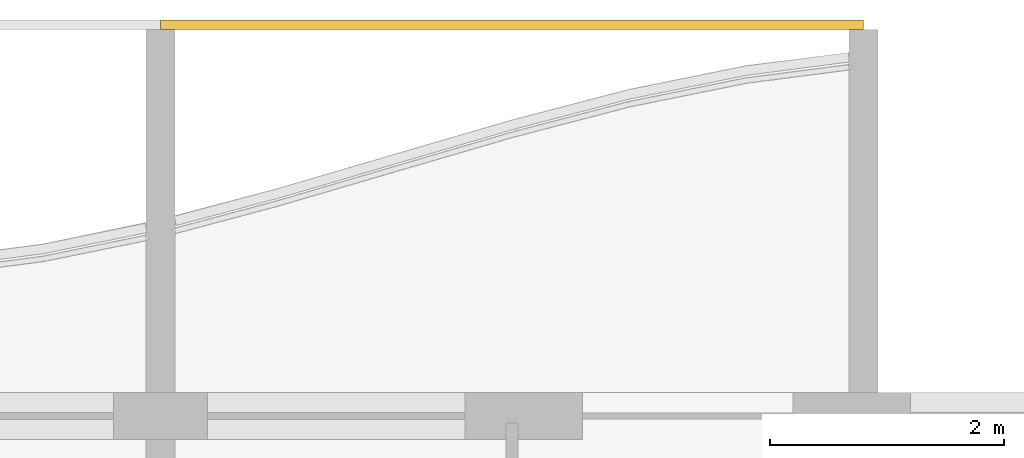
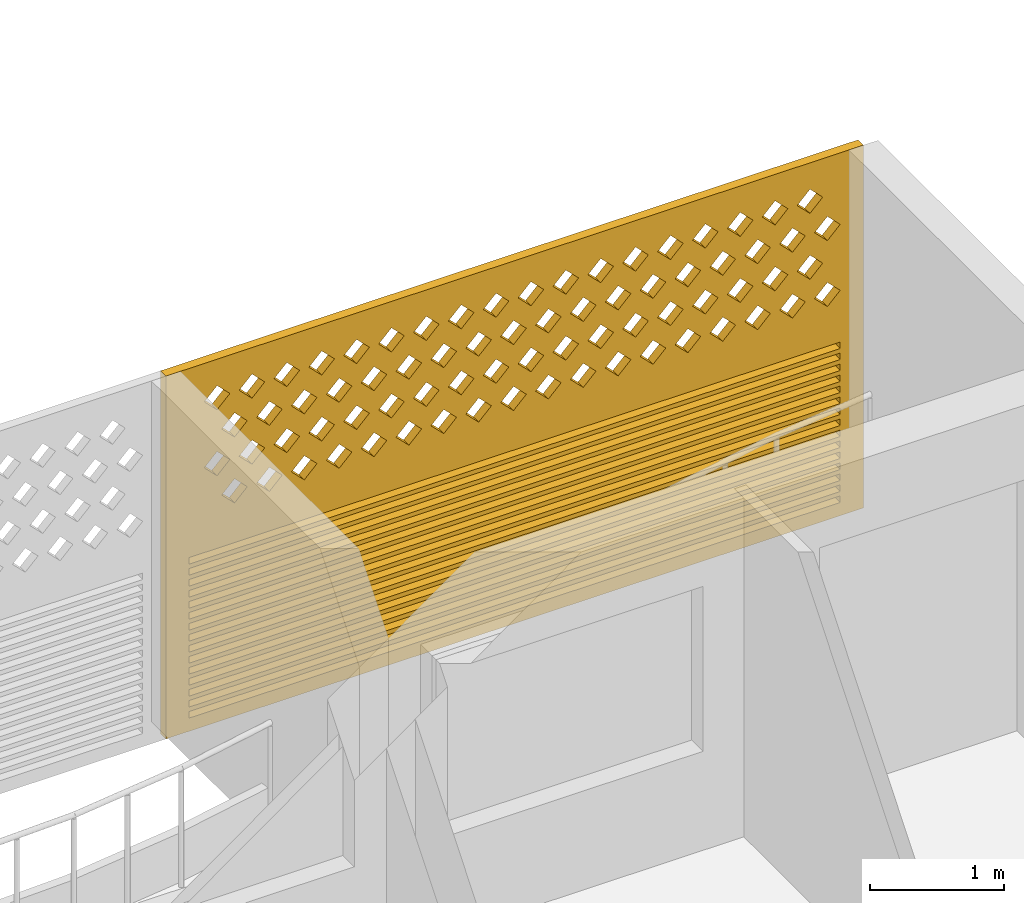
# One storey, part 18 of 28: 1 covering.
"""IFC4 building model written with IfcOpenShell, lengths in metres."""

from ifc_helpers import new_model, si_unit, direction, frame, origin, place, context, subcontext, project, spatial, polyline, outline, extrude, source, transform, mapped, material, material_profile, profile_set, type_object, element, save


model = new_model("IFC4")

# Units and contexts
model_context = context("Model", 3, precision=1e-05, world=origin(), true_north=direction((0.0, 1.0)))
body_context = subcontext(model_context, "Body", "Model", "MODEL_VIEW")
ifc_project = project(units=[si_unit("LENGTHUNIT", "METRE"), si_unit("AREAUNIT", "SQUARE_METRE"), si_unit("VOLUMEUNIT", "CUBIC_METRE"), si_unit("PLANEANGLEUNIT", "RADIAN"), si_unit("MASSUNIT", "GRAM", prefix="KILO")], contexts=[model_context])

# Site, building, storey
site_placement = place(None, origin())
site = spatial("IfcSite", under=ifc_project, at=site_placement, CompositionType="ELEMENT")
building_placement = place(site_placement, origin())
building = spatial("IfcBuilding", under=site, at=building_placement, Name="Poui Terraces", CompositionType="ELEMENT")
storey_placement = place(building_placement, frame((0.0, 0.0, 188.39990234375)))
storey = spatial("IfcBuildingStorey", under=building, at=storey_placement, Name="L52", CompositionType="ELEMENT", Elevation=188.39990234375)

# Covering
ifc_material = material(Name="Terracotta screen", Category="masonry")
ifc_material_profile = material_profile(ifc_material, outline(polyline([(-3.0, -1.64990234375), (3.0, -1.64990234375), (3.0, 1.64990234375), (-3.0, 1.64990234375), (-3.0, -1.64990234375)]), holes=[polyline([(-2.800048828125, 0.39990234375), (-2.68994140625, 0.2900390625), (-2.580078125, 0.39990234375), (-2.68994140625, 0.510009765625), (-2.800048828125, 0.39990234375)]), polyline([(-2.5, 0.39990234375), (-2.389892578125, 0.2900390625), (-2.280029296875, 0.39990234375), (-2.389892578125, 0.510009765625), (-2.5, 0.39990234375)]), polyline([(-2.199951171875, 0.39990234375), (-2.090087890625, 0.2900390625), (-1.97998046875, 0.39990234375), (-2.090087890625, 0.510009765625), (-2.199951171875, 0.39990234375)]), polyline([(-1.89990234375, 0.39990234375), (-1.7900390625, 0.2900390625), (-1.679931640625, 0.39990234375), (-1.7900390625, 0.510009765625), (-1.89990234375, 0.39990234375)]), polyline([(-1.60009765625, 0.39990234375), (-1.489990234375, 0.2900390625), (-1.3798828125, 0.39990234375), (-1.489990234375, 0.510009765625), (-1.60009765625, 0.39990234375)]), polyline([(-1.300048828125, 0.39990234375), (-1.18994140625, 0.2900390625), (-1.080078125, 0.39990234375), (-1.18994140625, 0.510009765625), (-1.300048828125, 0.39990234375)]), polyline([(-1.0, 0.39990234375), (-0.889892578125, 0.2900390625), (-0.780029296875, 0.39990234375), (-0.889892578125, 0.510009765625), (-1.0, 0.39990234375)]), polyline([(-0.699951171875, 0.39990234375), (-0.590087890625, 0.2900390625), (-0.47998046875, 0.39990234375), (-0.590087890625, 0.510009765625), (-0.699951171875, 0.39990234375)]), polyline([(-0.39990234375, 0.39990234375), (-0.2900390625, 0.2900390625), (-0.179931640625, 0.39990234375), (-0.2900390625, 0.510009765625), (-0.39990234375, 0.39990234375)]), polyline([(-0.10009765625, 0.39990234375), (0.010009765625, 0.2900390625), (0.1201171875, 0.39990234375), (0.010009765625, 0.510009765625), (-0.10009765625, 0.39990234375)]), polyline([(0.199951171875, 0.39990234375), (0.31005859375, 0.2900390625), (0.419921875, 0.39990234375), (0.31005859375, 0.510009765625), (0.199951171875, 0.39990234375)]), polyline([(0.5, 0.39990234375), (0.610107421875, 0.2900390625), (0.719970703125, 0.39990234375), (0.610107421875, 0.510009765625), (0.5, 0.39990234375)]), polyline([(0.800048828125, 0.39990234375), (0.909912109375, 0.2900390625), (1.02001953125, 0.39990234375), (0.909912109375, 0.510009765625), (0.800048828125, 0.39990234375)]), polyline([(1.10009765625, 0.39990234375), (1.2099609375, 0.2900390625), (1.320068359375, 0.39990234375), (1.2099609375, 0.510009765625), (1.10009765625, 0.39990234375)]), polyline([(1.39990234375, 0.39990234375), (1.510009765625, 0.2900390625), (1.6201171875, 0.39990234375), (1.510009765625, 0.510009765625), (1.39990234375, 0.39990234375)]), polyline([(1.699951171875, 0.39990234375), (1.81005859375, 0.2900390625), (1.919921875, 0.39990234375), (1.81005859375, 0.510009765625), (1.699951171875, 0.39990234375)]), polyline([(2.0, 0.39990234375), (2.110107421875, 0.2900390625), (2.219970703125, 0.39990234375), (2.110107421875, 0.510009765625), (2.0, 0.39990234375)]), polyline([(2.300048828125, 0.39990234375), (2.409912109375, 0.2900390625), (2.52001953125, 0.39990234375), (2.409912109375, 0.510009765625), (2.300048828125, 0.39990234375)]), polyline([(-2.64990234375, 0.699951171875), (-2.5400390625, 0.590087890625), (-2.429931640625, 0.699951171875), (-2.5400390625, 0.81005859375), (-2.64990234375, 0.699951171875)]), polyline([(-2.35009765625, 0.699951171875), (-2.239990234375, 0.590087890625), (-2.1298828125, 0.699951171875), (-2.239990234375, 0.81005859375), (-2.35009765625, 0.699951171875)]), polyline([(-2.050048828125, 0.699951171875), (-1.93994140625, 0.590087890625), (-1.830078125, 0.699951171875), (-1.93994140625, 0.81005859375), (-2.050048828125, 0.699951171875)]), polyline([(-1.75, 0.699951171875), (-1.639892578125, 0.590087890625), (-1.530029296875, 0.699951171875), (-1.639892578125, 0.81005859375), (-1.75, 0.699951171875)]), polyline([(-1.449951171875, 0.699951171875), (-1.340087890625, 0.590087890625), (-1.22998046875, 0.699951171875), (-1.340087890625, 0.81005859375), (-1.449951171875, 0.699951171875)]), polyline([(-1.14990234375, 0.699951171875), (-1.0400390625, 0.590087890625), (-0.929931640625, 0.699951171875), (-1.0400390625, 0.81005859375), (-1.14990234375, 0.699951171875)]), polyline([(-0.85009765625, 0.699951171875), (-0.739990234375, 0.590087890625), (-0.6298828125, 0.699951171875), (-0.739990234375, 0.81005859375), (-0.85009765625, 0.699951171875)]), polyline([(-0.550048828125, 0.699951171875), (-0.43994140625, 0.590087890625), (-0.330078125, 0.699951171875), (-0.43994140625, 0.81005859375), (-0.550048828125, 0.699951171875)]), polyline([(-0.25, 0.699951171875), (-0.139892578125, 0.590087890625), (-0.030029296875, 0.699951171875), (-0.139892578125, 0.81005859375), (-0.25, 0.699951171875)]), polyline([(0.050048828125, 0.699951171875), (0.159912109375, 0.590087890625), (0.27001953125, 0.699951171875), (0.159912109375, 0.81005859375), (0.050048828125, 0.699951171875)]), polyline([(0.35009765625, 0.699951171875), (0.4599609375, 0.590087890625), (0.570068359375, 0.699951171875), (0.4599609375, 0.81005859375), (0.35009765625, 0.699951171875)]), polyline([(0.64990234375, 0.699951171875), (0.760009765625, 0.590087890625), (0.8701171875, 0.699951171875), (0.760009765625, 0.81005859375), (0.64990234375, 0.699951171875)]), polyline([(0.949951171875, 0.699951171875), (1.06005859375, 0.590087890625), (1.169921875, 0.699951171875), (1.06005859375, 0.81005859375), (0.949951171875, 0.699951171875)]), polyline([(1.25, 0.699951171875), (1.360107421875, 0.590087890625), (1.469970703125, 0.699951171875), (1.360107421875, 0.81005859375), (1.25, 0.699951171875)]), polyline([(1.550048828125, 0.699951171875), (1.659912109375, 0.590087890625), (1.77001953125, 0.699951171875), (1.659912109375, 0.81005859375), (1.550048828125, 0.699951171875)]), polyline([(1.85009765625, 0.699951171875), (1.9599609375, 0.590087890625), (2.070068359375, 0.699951171875), (1.9599609375, 0.81005859375), (1.85009765625, 0.699951171875)]), polyline([(2.14990234375, 0.699951171875), (2.260009765625, 0.590087890625), (2.3701171875, 0.699951171875), (2.260009765625, 0.81005859375), (2.14990234375, 0.699951171875)]), polyline([(2.449951171875, 0.699951171875), (2.56005859375, 0.590087890625), (2.669921875, 0.699951171875), (2.56005859375, 0.81005859375), (2.449951171875, 0.699951171875)]), polyline([(-2.800048828125, 1.0), (-2.68994140625, 0.889892578125), (-2.580078125, 1.0), (-2.68994140625, 1.110107421875), (-2.800048828125, 1.0)]), polyline([(-2.5, 1.0), (-2.389892578125, 0.889892578125), (-2.280029296875, 1.0), (-2.389892578125, 1.110107421875), (-2.5, 1.0)]), polyline([(-2.199951171875, 1.0), (-2.090087890625, 0.889892578125), (-1.97998046875, 1.0), (-2.090087890625, 1.110107421875), (-2.199951171875, 1.0)]), polyline([(-1.89990234375, 1.0), (-1.7900390625, 0.889892578125), (-1.679931640625, 1.0), (-1.7900390625, 1.110107421875), (-1.89990234375, 1.0)]), polyline([(-1.60009765625, 1.0), (-1.489990234375, 0.889892578125), (-1.3798828125, 1.0), (-1.489990234375, 1.110107421875), (-1.60009765625, 1.0)]), polyline([(-1.300048828125, 1.0), (-1.18994140625, 0.889892578125), (-1.080078125, 1.0), (-1.18994140625, 1.110107421875), (-1.300048828125, 1.0)]), polyline([(-1.0, 1.0), (-0.889892578125, 0.889892578125), (-0.780029296875, 1.0), (-0.889892578125, 1.110107421875), (-1.0, 1.0)]), polyline([(-0.699951171875, 1.0), (-0.590087890625, 0.889892578125), (-0.47998046875, 1.0), (-0.590087890625, 1.110107421875), (-0.699951171875, 1.0)]), polyline([(-0.39990234375, 1.0), (-0.2900390625, 0.889892578125), (-0.179931640625, 1.0), (-0.2900390625, 1.110107421875), (-0.39990234375, 1.0)]), polyline([(-0.10009765625, 1.0), (0.010009765625, 0.889892578125), (0.1201171875, 1.0), (0.010009765625, 1.110107421875), (-0.10009765625, 1.0)]), polyline([(0.199951171875, 1.0), (0.31005859375, 0.889892578125), (0.419921875, 1.0), (0.31005859375, 1.110107421875), (0.199951171875, 1.0)]), polyline([(0.5, 1.0), (0.610107421875, 0.889892578125), (0.719970703125, 1.0), (0.610107421875, 1.110107421875), (0.5, 1.0)]), polyline([(0.800048828125, 1.0), (0.909912109375, 0.889892578125), (1.02001953125, 1.0), (0.909912109375, 1.110107421875), (0.800048828125, 1.0)]), polyline([(1.10009765625, 1.0), (1.2099609375, 0.889892578125), (1.320068359375, 1.0), (1.2099609375, 1.110107421875), (1.10009765625, 1.0)]), polyline([(1.39990234375, 1.0), (1.510009765625, 0.889892578125), (1.6201171875, 1.0), (1.510009765625, 1.110107421875), (1.39990234375, 1.0)]), polyline([(1.699951171875, 1.0), (1.81005859375, 0.889892578125), (1.919921875, 1.0), (1.81005859375, 1.110107421875), (1.699951171875, 1.0)]), polyline([(2.0, 1.0), (2.110107421875, 0.889892578125), (2.219970703125, 1.0), (2.110107421875, 1.110107421875), (2.0, 1.0)]), polyline([(2.300048828125, 1.0), (2.409912109375, 0.889892578125), (2.52001953125, 1.0), (2.409912109375, 1.110107421875), (2.300048828125, 1.0)]), polyline([(-2.64990234375, 1.300048828125), (-2.5400390625, 1.18994140625), (-2.429931640625, 1.300048828125), (-2.5400390625, 1.409912109375), (-2.64990234375, 1.300048828125)]), polyline([(-2.35009765625, 1.300048828125), (-2.239990234375, 1.18994140625), (-2.1298828125, 1.300048828125), (-2.239990234375, 1.409912109375), (-2.35009765625, 1.300048828125)]), polyline([(-2.050048828125, 1.300048828125), (-1.93994140625, 1.18994140625), (-1.830078125, 1.300048828125), (-1.93994140625, 1.409912109375), (-2.050048828125, 1.300048828125)]), polyline([(-1.75, 1.300048828125), (-1.639892578125, 1.18994140625), (-1.530029296875, 1.300048828125), (-1.639892578125, 1.409912109375), (-1.75, 1.300048828125)]), polyline([(-1.449951171875, 1.300048828125), (-1.340087890625, 1.18994140625), (-1.22998046875, 1.300048828125), (-1.340087890625, 1.409912109375), (-1.449951171875, 1.300048828125)]), polyline([(-1.14990234375, 1.300048828125), (-1.0400390625, 1.18994140625), (-0.929931640625, 1.300048828125), (-1.0400390625, 1.409912109375), (-1.14990234375, 1.300048828125)]), polyline([(-0.85009765625, 1.300048828125), (-0.739990234375, 1.18994140625), (-0.6298828125, 1.300048828125), (-0.739990234375, 1.409912109375), (-0.85009765625, 1.300048828125)]), polyline([(-0.550048828125, 1.300048828125), (-0.43994140625, 1.18994140625), (-0.330078125, 1.300048828125), (-0.43994140625, 1.409912109375), (-0.550048828125, 1.300048828125)]), polyline([(-0.25, 1.300048828125), (-0.139892578125, 1.18994140625), (-0.030029296875, 1.300048828125), (-0.139892578125, 1.409912109375), (-0.25, 1.300048828125)]), polyline([(0.050048828125, 1.300048828125), (0.159912109375, 1.18994140625), (0.27001953125, 1.300048828125), (0.159912109375, 1.409912109375), (0.050048828125, 1.300048828125)]), polyline([(0.35009765625, 1.300048828125), (0.4599609375, 1.18994140625), (0.570068359375, 1.300048828125), (0.4599609375, 1.409912109375), (0.35009765625, 1.300048828125)]), polyline([(0.64990234375, 1.300048828125), (0.760009765625, 1.18994140625), (0.8701171875, 1.300048828125), (0.760009765625, 1.409912109375), (0.64990234375, 1.300048828125)]), polyline([(0.949951171875, 1.300048828125), (1.06005859375, 1.18994140625), (1.169921875, 1.300048828125), (1.06005859375, 1.409912109375), (0.949951171875, 1.300048828125)]), polyline([(1.25, 1.300048828125), (1.360107421875, 1.18994140625), (1.469970703125, 1.300048828125), (1.360107421875, 1.409912109375), (1.25, 1.300048828125)]), polyline([(1.550048828125, 1.300048828125), (1.659912109375, 1.18994140625), (1.77001953125, 1.300048828125), (1.659912109375, 1.409912109375), (1.550048828125, 1.300048828125)]), polyline([(1.85009765625, 1.300048828125), (1.9599609375, 1.18994140625), (2.070068359375, 1.300048828125), (1.9599609375, 1.409912109375), (1.85009765625, 1.300048828125)]), polyline([(2.14990234375, 1.300048828125), (2.260009765625, 1.18994140625), (2.3701171875, 1.300048828125), (2.260009765625, 1.409912109375), (2.14990234375, 1.300048828125)]), polyline([(2.449951171875, 1.300048828125), (2.56005859375, 1.18994140625), (2.669921875, 1.300048828125), (2.56005859375, 1.409912109375), (2.449951171875, 1.300048828125)]), polyline([(-2.800048828125, -1.530029296875), (2.800048828125, -1.530029296875), (2.800048828125, -1.469970703125), (-2.800048828125, -1.469970703125), (-2.800048828125, -1.530029296875)]), polyline([(-2.800048828125, -1.429931640625), (2.800048828125, -1.429931640625), (2.800048828125, -1.3701171875), (-2.800048828125, -1.3701171875), (-2.800048828125, -1.429931640625)]), polyline([(-2.800048828125, -1.330078125), (2.800048828125, -1.330078125), (2.800048828125, -1.27001953125), (-2.800048828125, -1.27001953125), (-2.800048828125, -1.330078125)]), polyline([(-2.800048828125, -1.22998046875), (2.800048828125, -1.22998046875), (2.800048828125, -1.169921875), (-2.800048828125, -1.169921875), (-2.800048828125, -1.22998046875)]), polyline([(-2.800048828125, -1.1298828125), (2.800048828125, -1.1298828125), (2.800048828125, -1.070068359375), (-2.800048828125, -1.070068359375), (-2.800048828125, -1.1298828125)]), polyline([(-2.800048828125, -1.030029296875), (2.800048828125, -1.030029296875), (2.800048828125, -0.969970703125), (-2.800048828125, -0.969970703125), (-2.800048828125, -1.030029296875)]), polyline([(-2.800048828125, -0.929931640625), (2.800048828125, -0.929931640625), (2.800048828125, -0.8701171875), (-2.800048828125, -0.8701171875), (-2.800048828125, -0.929931640625)]), polyline([(-2.800048828125, -0.830078125), (2.800048828125, -0.830078125), (2.800048828125, -0.77001953125), (-2.800048828125, -0.77001953125), (-2.800048828125, -0.830078125)]), polyline([(-2.800048828125, -0.72998046875), (2.800048828125, -0.72998046875), (2.800048828125, -0.669921875), (-2.800048828125, -0.669921875), (-2.800048828125, -0.72998046875)]), polyline([(-2.800048828125, -0.6298828125), (2.800048828125, -0.6298828125), (2.800048828125, -0.570068359375), (-2.800048828125, -0.570068359375), (-2.800048828125, -0.6298828125)]), polyline([(-2.800048828125, -0.530029296875), (2.800048828125, -0.530029296875), (2.800048828125, -0.469970703125), (-2.800048828125, -0.469970703125), (-2.800048828125, -0.530029296875)]), polyline([(-2.800048828125, -0.429931640625), (2.800048828125, -0.429931640625), (2.800048828125, -0.3701171875), (-2.800048828125, -0.3701171875), (-2.800048828125, -0.429931640625)]), polyline([(-2.800048828125, -0.330078125), (2.800048828125, -0.330078125), (2.800048828125, -0.27001953125), (-2.800048828125, -0.27001953125), (-2.800048828125, -0.330078125)]), polyline([(-2.800048828125, -0.22998046875), (2.800048828125, -0.22998046875), (2.800048828125, -0.169921875), (-2.800048828125, -0.169921875), (-2.800048828125, -0.22998046875)]), polyline([(-2.800048828125, -0.1298828125), (2.800048828125, -0.1298828125), (2.800048828125, -0.070068359375), (-2.800048828125, -0.070068359375), (-2.800048828125, -0.1298828125)])]), Name="TERRACOTTA SCREEN AND JALOUSIE LOUVRE 6000X3300")
ifc_profile_set = profile_set([ifc_material_profile], Name="Terracotta screen")
covering_type = type_object("IfcCoveringType", Name="TERRACOTTA SCREEN AND JALOUSIE LOUVRE 6000X3300", PredefinedType="CLADDING", material=ifc_profile_set)
shared_shape = source(origin(), body_context, "Body", "SweptSolid", [
    extrude(outline(polyline([(-3.0, -1.64990234375), (3.0, -1.64990234375), (3.0, 1.64990234375), (-3.0, 1.64990234375), (-3.0, -1.64990234375)]), holes=[polyline([(-2.800048828125, 0.39990234375), (-2.68994140625, 0.2900390625), (-2.580078125, 0.39990234375), (-2.68994140625, 0.510009765625), (-2.800048828125, 0.39990234375)]), polyline([(-2.5, 0.39990234375), (-2.389892578125, 0.2900390625), (-2.280029296875, 0.39990234375), (-2.389892578125, 0.510009765625), (-2.5, 0.39990234375)]), polyline([(-2.199951171875, 0.39990234375), (-2.090087890625, 0.2900390625), (-1.97998046875, 0.39990234375), (-2.090087890625, 0.510009765625), (-2.199951171875, 0.39990234375)]), polyline([(-1.89990234375, 0.39990234375), (-1.7900390625, 0.2900390625), (-1.679931640625, 0.39990234375), (-1.7900390625, 0.510009765625), (-1.89990234375, 0.39990234375)]), polyline([(-1.60009765625, 0.39990234375), (-1.489990234375, 0.2900390625), (-1.3798828125, 0.39990234375), (-1.489990234375, 0.510009765625), (-1.60009765625, 0.39990234375)]), polyline([(-1.300048828125, 0.39990234375), (-1.18994140625, 0.2900390625), (-1.080078125, 0.39990234375), (-1.18994140625, 0.510009765625), (-1.300048828125, 0.39990234375)]), polyline([(-1.0, 0.39990234375), (-0.889892578125, 0.2900390625), (-0.780029296875, 0.39990234375), (-0.889892578125, 0.510009765625), (-1.0, 0.39990234375)]), polyline([(-0.699951171875, 0.39990234375), (-0.590087890625, 0.2900390625), (-0.47998046875, 0.39990234375), (-0.590087890625, 0.510009765625), (-0.699951171875, 0.39990234375)]), polyline([(-0.39990234375, 0.39990234375), (-0.2900390625, 0.2900390625), (-0.179931640625, 0.39990234375), (-0.2900390625, 0.510009765625), (-0.39990234375, 0.39990234375)]), polyline([(-0.10009765625, 0.39990234375), (0.010009765625, 0.2900390625), (0.1201171875, 0.39990234375), (0.010009765625, 0.510009765625), (-0.10009765625, 0.39990234375)]), polyline([(0.199951171875, 0.39990234375), (0.31005859375, 0.2900390625), (0.419921875, 0.39990234375), (0.31005859375, 0.510009765625), (0.199951171875, 0.39990234375)]), polyline([(0.5, 0.39990234375), (0.610107421875, 0.2900390625), (0.719970703125, 0.39990234375), (0.610107421875, 0.510009765625), (0.5, 0.39990234375)]), polyline([(0.800048828125, 0.39990234375), (0.909912109375, 0.2900390625), (1.02001953125, 0.39990234375), (0.909912109375, 0.510009765625), (0.800048828125, 0.39990234375)]), polyline([(1.10009765625, 0.39990234375), (1.2099609375, 0.2900390625), (1.320068359375, 0.39990234375), (1.2099609375, 0.510009765625), (1.10009765625, 0.39990234375)]), polyline([(1.39990234375, 0.39990234375), (1.510009765625, 0.2900390625), (1.6201171875, 0.39990234375), (1.510009765625, 0.510009765625), (1.39990234375, 0.39990234375)]), polyline([(1.699951171875, 0.39990234375), (1.81005859375, 0.2900390625), (1.919921875, 0.39990234375), (1.81005859375, 0.510009765625), (1.699951171875, 0.39990234375)]), polyline([(2.0, 0.39990234375), (2.110107421875, 0.2900390625), (2.219970703125, 0.39990234375), (2.110107421875, 0.510009765625), (2.0, 0.39990234375)]), polyline([(2.300048828125, 0.39990234375), (2.409912109375, 0.2900390625), (2.52001953125, 0.39990234375), (2.409912109375, 0.510009765625), (2.300048828125, 0.39990234375)]), polyline([(-2.64990234375, 0.699951171875), (-2.5400390625, 0.590087890625), (-2.429931640625, 0.699951171875), (-2.5400390625, 0.81005859375), (-2.64990234375, 0.699951171875)]), polyline([(-2.35009765625, 0.699951171875), (-2.239990234375, 0.590087890625), (-2.1298828125, 0.699951171875), (-2.239990234375, 0.81005859375), (-2.35009765625, 0.699951171875)]), polyline([(-2.050048828125, 0.699951171875), (-1.93994140625, 0.590087890625), (-1.830078125, 0.699951171875), (-1.93994140625, 0.81005859375), (-2.050048828125, 0.699951171875)]), polyline([(-1.75, 0.699951171875), (-1.639892578125, 0.590087890625), (-1.530029296875, 0.699951171875), (-1.639892578125, 0.81005859375), (-1.75, 0.699951171875)]), polyline([(-1.449951171875, 0.699951171875), (-1.340087890625, 0.590087890625), (-1.22998046875, 0.699951171875), (-1.340087890625, 0.81005859375), (-1.449951171875, 0.699951171875)]), polyline([(-1.14990234375, 0.699951171875), (-1.0400390625, 0.590087890625), (-0.929931640625, 0.699951171875), (-1.0400390625, 0.81005859375), (-1.14990234375, 0.699951171875)]), polyline([(-0.85009765625, 0.699951171875), (-0.739990234375, 0.590087890625), (-0.6298828125, 0.699951171875), (-0.739990234375, 0.81005859375), (-0.85009765625, 0.699951171875)]), polyline([(-0.550048828125, 0.699951171875), (-0.43994140625, 0.590087890625), (-0.330078125, 0.699951171875), (-0.43994140625, 0.81005859375), (-0.550048828125, 0.699951171875)]), polyline([(-0.25, 0.699951171875), (-0.139892578125, 0.590087890625), (-0.030029296875, 0.699951171875), (-0.139892578125, 0.81005859375), (-0.25, 0.699951171875)]), polyline([(0.050048828125, 0.699951171875), (0.159912109375, 0.590087890625), (0.27001953125, 0.699951171875), (0.159912109375, 0.81005859375), (0.050048828125, 0.699951171875)]), polyline([(0.35009765625, 0.699951171875), (0.4599609375, 0.590087890625), (0.570068359375, 0.699951171875), (0.4599609375, 0.81005859375), (0.35009765625, 0.699951171875)]), polyline([(0.64990234375, 0.699951171875), (0.760009765625, 0.590087890625), (0.8701171875, 0.699951171875), (0.760009765625, 0.81005859375), (0.64990234375, 0.699951171875)]), polyline([(0.949951171875, 0.699951171875), (1.06005859375, 0.590087890625), (1.169921875, 0.699951171875), (1.06005859375, 0.81005859375), (0.949951171875, 0.699951171875)]), polyline([(1.25, 0.699951171875), (1.360107421875, 0.590087890625), (1.469970703125, 0.699951171875), (1.360107421875, 0.81005859375), (1.25, 0.699951171875)]), polyline([(1.550048828125, 0.699951171875), (1.659912109375, 0.590087890625), (1.77001953125, 0.699951171875), (1.659912109375, 0.81005859375), (1.550048828125, 0.699951171875)]), polyline([(1.85009765625, 0.699951171875), (1.9599609375, 0.590087890625), (2.070068359375, 0.699951171875), (1.9599609375, 0.81005859375), (1.85009765625, 0.699951171875)]), polyline([(2.14990234375, 0.699951171875), (2.260009765625, 0.590087890625), (2.3701171875, 0.699951171875), (2.260009765625, 0.81005859375), (2.14990234375, 0.699951171875)]), polyline([(2.449951171875, 0.699951171875), (2.56005859375, 0.590087890625), (2.669921875, 0.699951171875), (2.56005859375, 0.81005859375), (2.449951171875, 0.699951171875)]), polyline([(-2.800048828125, 1.0), (-2.68994140625, 0.889892578125), (-2.580078125, 1.0), (-2.68994140625, 1.110107421875), (-2.800048828125, 1.0)]), polyline([(-2.5, 1.0), (-2.389892578125, 0.889892578125), (-2.280029296875, 1.0), (-2.389892578125, 1.110107421875), (-2.5, 1.0)]), polyline([(-2.199951171875, 1.0), (-2.090087890625, 0.889892578125), (-1.97998046875, 1.0), (-2.090087890625, 1.110107421875), (-2.199951171875, 1.0)]), polyline([(-1.89990234375, 1.0), (-1.7900390625, 0.889892578125), (-1.679931640625, 1.0), (-1.7900390625, 1.110107421875), (-1.89990234375, 1.0)]), polyline([(-1.60009765625, 1.0), (-1.489990234375, 0.889892578125), (-1.3798828125, 1.0), (-1.489990234375, 1.110107421875), (-1.60009765625, 1.0)]), polyline([(-1.300048828125, 1.0), (-1.18994140625, 0.889892578125), (-1.080078125, 1.0), (-1.18994140625, 1.110107421875), (-1.300048828125, 1.0)]), polyline([(-1.0, 1.0), (-0.889892578125, 0.889892578125), (-0.780029296875, 1.0), (-0.889892578125, 1.110107421875), (-1.0, 1.0)]), polyline([(-0.699951171875, 1.0), (-0.590087890625, 0.889892578125), (-0.47998046875, 1.0), (-0.590087890625, 1.110107421875), (-0.699951171875, 1.0)]), polyline([(-0.39990234375, 1.0), (-0.2900390625, 0.889892578125), (-0.179931640625, 1.0), (-0.2900390625, 1.110107421875), (-0.39990234375, 1.0)]), polyline([(-0.10009765625, 1.0), (0.010009765625, 0.889892578125), (0.1201171875, 1.0), (0.010009765625, 1.110107421875), (-0.10009765625, 1.0)]), polyline([(0.199951171875, 1.0), (0.31005859375, 0.889892578125), (0.419921875, 1.0), (0.31005859375, 1.110107421875), (0.199951171875, 1.0)]), polyline([(0.5, 1.0), (0.610107421875, 0.889892578125), (0.719970703125, 1.0), (0.610107421875, 1.110107421875), (0.5, 1.0)]), polyline([(0.800048828125, 1.0), (0.909912109375, 0.889892578125), (1.02001953125, 1.0), (0.909912109375, 1.110107421875), (0.800048828125, 1.0)]), polyline([(1.10009765625, 1.0), (1.2099609375, 0.889892578125), (1.320068359375, 1.0), (1.2099609375, 1.110107421875), (1.10009765625, 1.0)]), polyline([(1.39990234375, 1.0), (1.510009765625, 0.889892578125), (1.6201171875, 1.0), (1.510009765625, 1.110107421875), (1.39990234375, 1.0)]), polyline([(1.699951171875, 1.0), (1.81005859375, 0.889892578125), (1.919921875, 1.0), (1.81005859375, 1.110107421875), (1.699951171875, 1.0)]), polyline([(2.0, 1.0), (2.110107421875, 0.889892578125), (2.219970703125, 1.0), (2.110107421875, 1.110107421875), (2.0, 1.0)]), polyline([(2.300048828125, 1.0), (2.409912109375, 0.889892578125), (2.52001953125, 1.0), (2.409912109375, 1.110107421875), (2.300048828125, 1.0)]), polyline([(-2.64990234375, 1.300048828125), (-2.5400390625, 1.18994140625), (-2.429931640625, 1.300048828125), (-2.5400390625, 1.409912109375), (-2.64990234375, 1.300048828125)]), polyline([(-2.35009765625, 1.300048828125), (-2.239990234375, 1.18994140625), (-2.1298828125, 1.300048828125), (-2.239990234375, 1.409912109375), (-2.35009765625, 1.300048828125)]), polyline([(-2.050048828125, 1.300048828125), (-1.93994140625, 1.18994140625), (-1.830078125, 1.300048828125), (-1.93994140625, 1.409912109375), (-2.050048828125, 1.300048828125)]), polyline([(-1.75, 1.300048828125), (-1.639892578125, 1.18994140625), (-1.530029296875, 1.300048828125), (-1.639892578125, 1.409912109375), (-1.75, 1.300048828125)]), polyline([(-1.449951171875, 1.300048828125), (-1.340087890625, 1.18994140625), (-1.22998046875, 1.300048828125), (-1.340087890625, 1.409912109375), (-1.449951171875, 1.300048828125)]), polyline([(-1.14990234375, 1.300048828125), (-1.0400390625, 1.18994140625), (-0.929931640625, 1.300048828125), (-1.0400390625, 1.409912109375), (-1.14990234375, 1.300048828125)]), polyline([(-0.85009765625, 1.300048828125), (-0.739990234375, 1.18994140625), (-0.6298828125, 1.300048828125), (-0.739990234375, 1.409912109375), (-0.85009765625, 1.300048828125)]), polyline([(-0.550048828125, 1.300048828125), (-0.43994140625, 1.18994140625), (-0.330078125, 1.300048828125), (-0.43994140625, 1.409912109375), (-0.550048828125, 1.300048828125)]), polyline([(-0.25, 1.300048828125), (-0.139892578125, 1.18994140625), (-0.030029296875, 1.300048828125), (-0.139892578125, 1.409912109375), (-0.25, 1.300048828125)]), polyline([(0.050048828125, 1.300048828125), (0.159912109375, 1.18994140625), (0.27001953125, 1.300048828125), (0.159912109375, 1.409912109375), (0.050048828125, 1.300048828125)]), polyline([(0.35009765625, 1.300048828125), (0.4599609375, 1.18994140625), (0.570068359375, 1.300048828125), (0.4599609375, 1.409912109375), (0.35009765625, 1.300048828125)]), polyline([(0.64990234375, 1.300048828125), (0.760009765625, 1.18994140625), (0.8701171875, 1.300048828125), (0.760009765625, 1.409912109375), (0.64990234375, 1.300048828125)]), polyline([(0.949951171875, 1.300048828125), (1.06005859375, 1.18994140625), (1.169921875, 1.300048828125), (1.06005859375, 1.409912109375), (0.949951171875, 1.300048828125)]), polyline([(1.25, 1.300048828125), (1.360107421875, 1.18994140625), (1.469970703125, 1.300048828125), (1.360107421875, 1.409912109375), (1.25, 1.300048828125)]), polyline([(1.550048828125, 1.300048828125), (1.659912109375, 1.18994140625), (1.77001953125, 1.300048828125), (1.659912109375, 1.409912109375), (1.550048828125, 1.300048828125)]), polyline([(1.85009765625, 1.300048828125), (1.9599609375, 1.18994140625), (2.070068359375, 1.300048828125), (1.9599609375, 1.409912109375), (1.85009765625, 1.300048828125)]), polyline([(2.14990234375, 1.300048828125), (2.260009765625, 1.18994140625), (2.3701171875, 1.300048828125), (2.260009765625, 1.409912109375), (2.14990234375, 1.300048828125)]), polyline([(2.449951171875, 1.300048828125), (2.56005859375, 1.18994140625), (2.669921875, 1.300048828125), (2.56005859375, 1.409912109375), (2.449951171875, 1.300048828125)]), polyline([(-2.800048828125, -1.530029296875), (2.800048828125, -1.530029296875), (2.800048828125, -1.469970703125), (-2.800048828125, -1.469970703125), (-2.800048828125, -1.530029296875)]), polyline([(-2.800048828125, -1.429931640625), (2.800048828125, -1.429931640625), (2.800048828125, -1.3701171875), (-2.800048828125, -1.3701171875), (-2.800048828125, -1.429931640625)]), polyline([(-2.800048828125, -1.330078125), (2.800048828125, -1.330078125), (2.800048828125, -1.27001953125), (-2.800048828125, -1.27001953125), (-2.800048828125, -1.330078125)]), polyline([(-2.800048828125, -1.22998046875), (2.800048828125, -1.22998046875), (2.800048828125, -1.169921875), (-2.800048828125, -1.169921875), (-2.800048828125, -1.22998046875)]), polyline([(-2.800048828125, -1.1298828125), (2.800048828125, -1.1298828125), (2.800048828125, -1.070068359375), (-2.800048828125, -1.070068359375), (-2.800048828125, -1.1298828125)]), polyline([(-2.800048828125, -1.030029296875), (2.800048828125, -1.030029296875), (2.800048828125, -0.969970703125), (-2.800048828125, -0.969970703125), (-2.800048828125, -1.030029296875)]), polyline([(-2.800048828125, -0.929931640625), (2.800048828125, -0.929931640625), (2.800048828125, -0.8701171875), (-2.800048828125, -0.8701171875), (-2.800048828125, -0.929931640625)]), polyline([(-2.800048828125, -0.830078125), (2.800048828125, -0.830078125), (2.800048828125, -0.77001953125), (-2.800048828125, -0.77001953125), (-2.800048828125, -0.830078125)]), polyline([(-2.800048828125, -0.72998046875), (2.800048828125, -0.72998046875), (2.800048828125, -0.669921875), (-2.800048828125, -0.669921875), (-2.800048828125, -0.72998046875)]), polyline([(-2.800048828125, -0.6298828125), (2.800048828125, -0.6298828125), (2.800048828125, -0.570068359375), (-2.800048828125, -0.570068359375), (-2.800048828125, -0.6298828125)]), polyline([(-2.800048828125, -0.530029296875), (2.800048828125, -0.530029296875), (2.800048828125, -0.469970703125), (-2.800048828125, -0.469970703125), (-2.800048828125, -0.530029296875)]), polyline([(-2.800048828125, -0.429931640625), (2.800048828125, -0.429931640625), (2.800048828125, -0.3701171875), (-2.800048828125, -0.3701171875), (-2.800048828125, -0.429931640625)]), polyline([(-2.800048828125, -0.330078125), (2.800048828125, -0.330078125), (2.800048828125, -0.27001953125), (-2.800048828125, -0.27001953125), (-2.800048828125, -0.330078125)]), polyline([(-2.800048828125, -0.22998046875), (2.800048828125, -0.22998046875), (2.800048828125, -0.169921875), (-2.800048828125, -0.169921875), (-2.800048828125, -0.22998046875)]), polyline([(-2.800048828125, -0.1298828125), (2.800048828125, -0.1298828125), (2.800048828125, -0.070068359375), (-2.800048828125, -0.070068359375), (-2.800048828125, -0.1298828125)])]), origin(), (0.0, 0.0, 1.0), 0.080078125),
])
covering_placement = place(storey_placement, frame((33.0, 44.5, 1.4501953125), z_axis=(0.0, 1.0, 0.0), x_axis=(-1.0, 0.0, 0.0)))
element("IfcCovering", 1, at=covering_placement, inside=storey, type_object=covering_type, Name="SOLAR SCREEN AND JALOUSIE LOUVRE", PredefinedType="CLADDING", context=body_context, shape_type="MappedRepresentation", body=[
    mapped(shared_shape, transform((0.0, 0.0, 0.0))),
])

save(model, "model.ifc")
